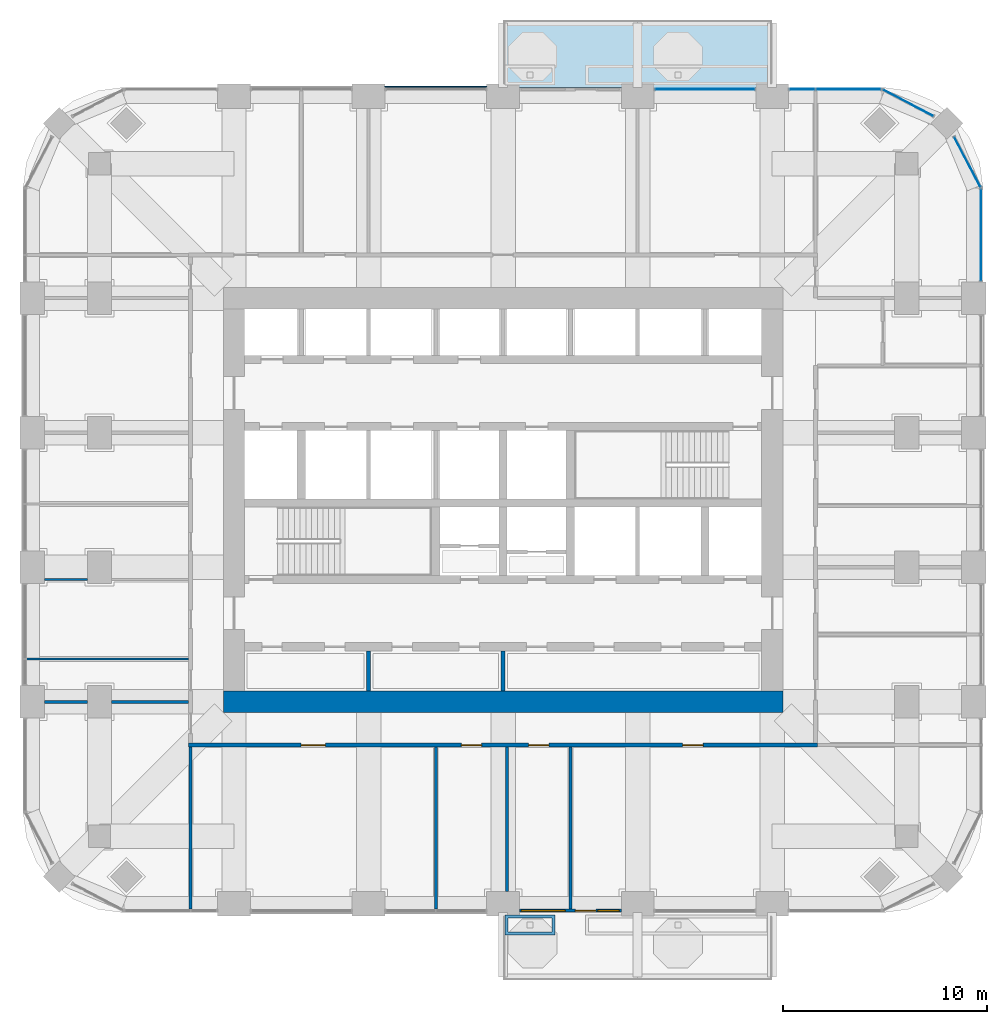
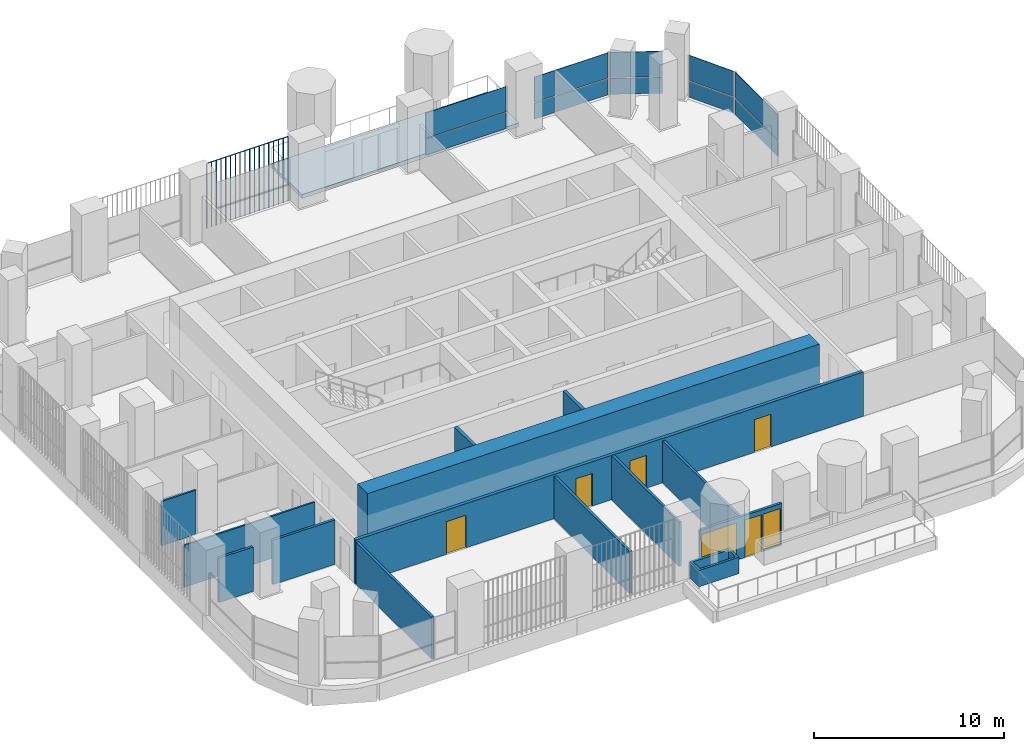
# One storey, part 12 of 19: 14 walls, 13 plates, 5 doors, 2 windows, 1 slab, 7 openings, 5 elements without a shape of their own.
"""IFC4 building model written with IfcOpenShell, lengths in metres."""

from ifc_helpers import new_model, si_unit, direction, frame, frame_2d, origin, origin_2d, place, context, subcontext, project, spatial, polyline, rectangle, outline, extrude, material, layer, layer_set, type_object, element, fill, aggregate, save


model = new_model("IFC4")

# Units and contexts
model_context = context("Model", 3, precision=1e-05, world=origin(), true_north=direction((0.0, 1.0)))
body_context = subcontext(model_context, "Body", "Model", "MODEL_VIEW")
ifc_project = project(units=[si_unit("LENGTHUNIT", "METRE"), si_unit("AREAUNIT", "SQUARE_METRE"), si_unit("VOLUMEUNIT", "CUBIC_METRE"), si_unit("PLANEANGLEUNIT", "RADIAN"), si_unit("MASSUNIT", "GRAM", prefix="KILO")], contexts=[model_context])

# Site, building, storey
site_placement = place(None, origin())
site = spatial("IfcSite", under=ifc_project, at=site_placement, CompositionType="ELEMENT")
building_placement = place(site_placement, origin())
building = spatial("IfcBuilding", under=site, at=building_placement, Name="Cobogo Forest Laboratory Tower", CompositionType="ELEMENT")
storey_placement = place(building_placement, frame((0.0, 0.0, 197.699951171875)))
storey = spatial("IfcBuildingStorey", under=building, at=storey_placement, Name="L45", CompositionType="ELEMENT", Elevation=197.699951171875)

# Slab
ifc_material_1 = material(Name="Concrete HA-40 (C40/50)", Category="concrete")
ifc_layer_1 = layer(ifc_material_1, 0.25)
ifc_layer_set_1 = layer_set([ifc_layer_1], Name="Balcony slab 250")
slab_type = type_object("IfcSlabType", Name="Balcony slab 250", PredefinedType="FLOOR", material=ifc_layer_set_1)
slab_placement = place(storey_placement, frame((0.0, 0.0, -0.25)))
element("IfcSlab", 1, at=slab_placement, inside=storey, type_object=slab_type, Name="Balcony BAL-N1 L45", PredefinedType="FLOOR", context=body_context, shape_type="SweptSolid", body=[
    extrude(outline(polyline([(26.39990234375, 43.35009765625), (39.60009765625, 43.35009765625), (39.60009765625, 46.64990234375), (26.39990234375, 46.64990234375), (26.39990234375, 43.35009765625)])), origin(), (0.0, 0.0, 1.0), 0.25),
])

# Curtain wall, plates
ifc_material_2 = material(Name="Aluminium curtain wall", Category="aluminium")
curtain_wall_type = type_object("IfcCurtainWallType", Name="CW-2 unitised curtain wall, solar control glazing, laboratory floors zones C and D", PredefinedType="USERDEFINED", material=ifc_material_2)
curtain_wall_1_placement = place(storey_placement, origin())
curtain_wall_1 = element("IfcCurtainWall", 2, at=curtain_wall_1_placement, inside=storey, type_object=curtain_wall_type, Name="Curtain wall 13 L45", ObjectType="UNITISED CURTAIN WALL", PredefinedType="USERDEFINED")
ifc_material_3 = material(Name="Solar control insulated glass", Category="glass")
ifc_layer_2 = layer(ifc_material_3, 0.031982421875)
ifc_layer_set_2 = layer_set([ifc_layer_2], Name="GP-2 solar control glass unit 32")
plate_type_1 = type_object("IfcPlateType", Name="GP-2 solar control glass unit 32", PredefinedType="CURTAIN_PANEL", material=ifc_layer_set_2)
plate_1_placement = place(storey_placement, frame((49.85009765625, 36.10009765625, 0.0), z_axis=(0.0, 0.0, 1.0), x_axis=(0.0, 1.0, 0.0)))
plate_1 = element("IfcPlate", 3, at=plate_1_placement, type_object=plate_type_1, Name="CW-2 panel 1.1", PredefinedType="CURTAIN_PANEL", context=body_context, shape_type="SweptSolid", body=[
    extrude(rectangle(XDim=4.47998046875, YDim=0.031982421875, at=origin_2d()), origin(), (0.0, 0.0, 1.0), 1.02001953125),
])
plate_2_placement = place(storey_placement, frame((49.85009765625, 36.10009765625, 1.080078125), z_axis=(0.0, 0.0, 1.0), x_axis=(0.0, 1.0, 0.0)))
plate_2 = element("IfcPlate", 4, at=plate_2_placement, type_object=plate_type_1, Name="CW-2 panel 1.2", PredefinedType="CURTAIN_PANEL", context=body_context, shape_type="SweptSolid", body=[
    extrude(rectangle(XDim=4.47998046875, YDim=0.031982421875, at=origin_2d()), origin(), (0.0, 0.0, 1.0), 1.6201171875),
])
aggregate(curtain_wall_1, [plate_1, plate_2])

curtain_wall_2_placement = place(storey_placement, origin())
curtain_wall_2 = element("IfcCurtainWall", 5, at=curtain_wall_2_placement, inside=storey, type_object=curtain_wall_type, Name="Curtain wall 14 L45", ObjectType="UNITISED CURTAIN WALL", PredefinedType="USERDEFINED")
plate_3_placement = place(storey_placement, frame((49.181396484375, 39.675537109375, 0.0), z_axis=(0.0, 0.0, 1.0), x_axis=(-0.464283804832, 0.885686484356, 0.0)))
plate_3 = element("IfcPlate", 6, at=plate_3_placement, type_object=plate_type_1, Name="CW-2 panel 1.1", PredefinedType="CURTAIN_PANEL", context=body_context, shape_type="SweptSolid", body=[
    extrude(rectangle(XDim=2.76025390625, YDim=0.031982421875, at=origin_2d()), origin(), (0.0, 0.0, 1.0), 1.02001953125),
])
plate_4_placement = place(storey_placement, frame((49.181396484375, 39.675537109375, 1.080078125), z_axis=(0.0, 0.0, 1.0), x_axis=(-0.464283804832, 0.885686484356, 0.0)))
plate_4 = element("IfcPlate", 7, at=plate_4_placement, type_object=plate_type_1, Name="CW-2 panel 1.2", PredefinedType="CURTAIN_PANEL", context=body_context, shape_type="SweptSolid", body=[
    extrude(rectangle(XDim=2.76025390625, YDim=0.031982421875, at=origin_2d()), origin(), (0.0, 0.0, 1.0), 1.6201171875),
])
aggregate(curtain_wall_2, [plate_3, plate_4])

curtain_wall_3_placement = place(storey_placement, origin())
curtain_wall_3 = element("IfcCurtainWall", 8, at=curtain_wall_3_placement, inside=storey, type_object=curtain_wall_type, Name="Curtain wall 15 L45", ObjectType="UNITISED CURTAIN WALL", PredefinedType="USERDEFINED")
plate_5_placement = place(storey_placement, frame((46.275634765625, 42.581298828125, 0.0), z_axis=(0.0, 0.0, 1.0), x_axis=(-0.885686484356, 0.464283804832, 0.0)))
plate_5 = element("IfcPlate", 9, at=plate_5_placement, type_object=plate_type_1, Name="CW-2 panel 1.1", PredefinedType="CURTAIN_PANEL", context=body_context, shape_type="SweptSolid", body=[
    extrude(rectangle(XDim=2.76025390625, YDim=0.031982421875, at=origin_2d()), origin(), (0.0, 0.0, 1.0), 1.02001953125),
])
plate_6_placement = place(storey_placement, frame((46.275634765625, 42.581298828125, 1.080078125), z_axis=(0.0, 0.0, 1.0), x_axis=(-0.885686484356, 0.464283804832, 0.0)))
plate_6 = element("IfcPlate", 10, at=plate_6_placement, type_object=plate_type_1, Name="CW-2 panel 1.2", PredefinedType="CURTAIN_PANEL", context=body_context, shape_type="SweptSolid", body=[
    extrude(rectangle(XDim=2.76025390625, YDim=0.031982421875, at=origin_2d()), origin(), (0.0, 0.0, 1.0), 1.6201171875),
])
aggregate(curtain_wall_3, [plate_5, plate_6])

curtain_wall_4_placement = place(storey_placement, origin())
curtain_wall_4 = element("IfcCurtainWall", 11, at=curtain_wall_4_placement, inside=storey, type_object=curtain_wall_type, Name="Curtain wall 16 L45", ObjectType="UNITISED CURTAIN WALL", PredefinedType="USERDEFINED")
plate_7_placement = place(storey_placement, frame((43.347412109375, 43.25, 0.0), z_axis=(0.0, 0.0, 1.0), x_axis=(-1.0, 0.0, 0.0)))
plate_7 = element("IfcPlate", 12, at=plate_7_placement, type_object=plate_type_1, Name="CW-2 panel 1.1", PredefinedType="CURTAIN_PANEL", context=body_context, shape_type="SweptSolid", body=[
    extrude(rectangle(XDim=3.18505859375, YDim=0.031982421875, at=origin_2d()), origin(), (0.0, 0.0, 1.0), 1.02001953125),
])
plate_8_placement = place(storey_placement, frame((43.347412109375, 43.25, 1.080078125), z_axis=(0.0, 0.0, 1.0), x_axis=(-1.0, 0.0, 0.0)))
plate_8 = element("IfcPlate", 13, at=plate_8_placement, type_object=plate_type_1, Name="CW-2 panel 1.2", PredefinedType="CURTAIN_PANEL", context=body_context, shape_type="SweptSolid", body=[
    extrude(rectangle(XDim=3.18505859375, YDim=0.031982421875, at=origin_2d()), origin(), (0.0, 0.0, 1.0), 1.6201171875),
])
plate_9_placement = place(storey_placement, frame((41.077392578125, 43.25, 0.0), z_axis=(0.0, 0.0, 1.0), x_axis=(-1.0, 0.0, 0.0)))
plate_9 = element("IfcPlate", 14, at=plate_9_placement, type_object=plate_type_1, Name="CW-2 panel 2.1", PredefinedType="CURTAIN_PANEL", context=body_context, shape_type="SweptSolid", body=[
    extrude(rectangle(XDim=1.235107421875, YDim=0.031982421875, at=origin_2d()), origin(), (0.0, 0.0, 1.0), 1.02001953125),
])
plate_10_placement = place(storey_placement, frame((41.077392578125, 43.25, 1.080078125), z_axis=(0.0, 0.0, 1.0), x_axis=(-1.0, 0.0, 0.0)))
plate_10 = element("IfcPlate", 15, at=plate_10_placement, type_object=plate_type_1, Name="CW-2 panel 2.2", PredefinedType="CURTAIN_PANEL", context=body_context, shape_type="SweptSolid", body=[
    extrude(rectangle(XDim=1.235107421875, YDim=0.031982421875, at=origin_2d()), origin(), (0.0, 0.0, 1.0), 1.6201171875),
])
aggregate(curtain_wall_4, [plate_7, plate_8, plate_9, plate_10])

curtain_wall_5_placement = place(storey_placement, origin())
curtain_wall_5 = element("IfcCurtainWall", 16, at=curtain_wall_5_placement, inside=storey, type_object=curtain_wall_type, Name="Curtain wall 17 L45", ObjectType="UNITISED CURTAIN WALL", PredefinedType="USERDEFINED")
plate_11_placement = place(storey_placement, frame((36.300048828125, 43.25, 0.0), z_axis=(0.0, 0.0, 1.0), x_axis=(-1.0, 0.0, 0.0)))
plate_11 = element("IfcPlate", 17, at=plate_11_placement, type_object=plate_type_1, Name="CW-2 panel 1.1", PredefinedType="CURTAIN_PANEL", context=body_context, shape_type="SweptSolid", body=[
    extrude(rectangle(XDim=4.8798828125, YDim=0.031982421875, at=origin_2d()), origin(), (0.0, 0.0, 1.0), 1.02001953125),
])
plate_12_placement = place(storey_placement, frame((36.300048828125, 43.25, 1.080078125), z_axis=(0.0, 0.0, 1.0), x_axis=(-1.0, 0.0, 0.0)))
plate_12 = element("IfcPlate", 18, at=plate_12_placement, type_object=plate_type_1, Name="CW-2 panel 1.2", PredefinedType="CURTAIN_PANEL", context=body_context, shape_type="SweptSolid", body=[
    extrude(rectangle(XDim=4.8798828125, YDim=0.031982421875, at=origin_2d()), origin(), (0.0, 0.0, 1.0), 1.6201171875),
])
aggregate(curtain_wall_5, [plate_11, plate_12])

# Plate
ifc_material_4 = material(Name="Terracotta", Category="masonry")
plate_type_2 = type_object("IfcPlateType", Name="TB1 terracotta baguette screen", PredefinedType="USERDEFINED", material=ifc_material_4)
plate_13_placement = place(storey_placement, frame((20.63134765625, 43.3779296875, -0.14990234375)))
element("IfcPlate", 19, at=plate_13_placement, inside=storey, type_object=plate_type_2, Name="Baguette screen N2 L45", ObjectType="BAGUETTE SCREEN", PredefinedType="USERDEFINED", context=body_context, shape_type="SweptSolid", body=[
    extrude(outline(polyline([(0.02880859375, 0.011962890625), (0.011962890625, 0.02880859375), (-0.011962890625, 0.02880859375), (-0.02880859375, 0.011962890625), (-0.02880859375, -0.011962890625), (-0.011962890625, -0.02880859375), (0.011962890625, -0.02880859375), (0.02880859375, -0.011962890625), (0.02880859375, 0.011962890625)])), frame((0.0, 0.0, 4.168701171875), z_axis=(1.0, 0.0, 0.0), x_axis=(0.0, 1.0, 0.0)), (0.0, 0.0, 1.0), 4.9375),
    extrude(outline(polyline([(0.02880859375, 0.011962890625), (0.011962890625, 0.02880859375), (-0.011962890625, 0.02880859375), (-0.02880859375, 0.011962890625), (-0.02880859375, -0.011962890625), (-0.011962890625, -0.02880859375), (0.011962890625, -0.02880859375), (0.02880859375, -0.011962890625), (0.02880859375, 0.011962890625)])), origin(), (0.0, 0.0, 1.0), 4.137451171875),
    extrude(outline(polyline([(0.02880859375, 0.011962890625), (0.011962890625, 0.02880859375), (-0.011962890625, 0.02880859375), (-0.02880859375, 0.011962890625), (-0.02880859375, -0.011962890625), (-0.011962890625, -0.02880859375), (0.011962890625, -0.02880859375), (0.02880859375, -0.011962890625), (0.02880859375, 0.011962890625)])), frame((0.29052734375, 0.0, 0.0)), (0.0, 0.0, 1.0), 4.137451171875),
    extrude(outline(polyline([(0.02880859375, 0.011962890625), (0.011962890625, 0.02880859375), (-0.011962890625, 0.02880859375), (-0.02880859375, 0.011962890625), (-0.02880859375, -0.011962890625), (-0.011962890625, -0.02880859375), (0.011962890625, -0.02880859375), (0.02880859375, -0.011962890625), (0.02880859375, 0.011962890625)])), frame((0.580810546875, 0.0, 0.0)), (0.0, 0.0, 1.0), 4.137451171875),
    extrude(outline(polyline([(0.02880859375, 0.011962890625), (0.011962890625, 0.02880859375), (-0.011962890625, 0.02880859375), (-0.02880859375, 0.011962890625), (-0.02880859375, -0.011962890625), (-0.011962890625, -0.02880859375), (0.011962890625, -0.02880859375), (0.02880859375, -0.011962890625), (0.02880859375, 0.011962890625)])), frame((0.871337890625, 0.0, 0.0)), (0.0, 0.0, 1.0), 4.137451171875),
    extrude(outline(polyline([(0.02880859375, 0.011962890625), (0.011962890625, 0.02880859375), (-0.011962890625, 0.02880859375), (-0.02880859375, 0.011962890625), (-0.02880859375, -0.011962890625), (-0.011962890625, -0.02880859375), (0.011962890625, -0.02880859375), (0.02880859375, -0.011962890625), (0.02880859375, 0.011962890625)])), frame((1.161865234375, 0.0, 0.0)), (0.0, 0.0, 1.0), 4.137451171875),
    extrude(outline(polyline([(0.02880859375, 0.011962890625), (0.011962890625, 0.02880859375), (-0.011962890625, 0.02880859375), (-0.02880859375, 0.011962890625), (-0.02880859375, -0.011962890625), (-0.011962890625, -0.02880859375), (0.011962890625, -0.02880859375), (0.02880859375, -0.011962890625), (0.02880859375, 0.011962890625)])), frame((1.4521484375, 0.0, 0.0)), (0.0, 0.0, 1.0), 4.137451171875),
    extrude(outline(polyline([(0.02880859375, 0.011962890625), (0.011962890625, 0.02880859375), (-0.011962890625, 0.02880859375), (-0.02880859375, 0.011962890625), (-0.02880859375, -0.011962890625), (-0.011962890625, -0.02880859375), (0.011962890625, -0.02880859375), (0.02880859375, -0.011962890625), (0.02880859375, 0.011962890625)])), frame((1.74267578125, 0.0, 0.0)), (0.0, 0.0, 1.0), 4.137451171875),
    extrude(outline(polyline([(0.02880859375, 0.011962890625), (0.011962890625, 0.02880859375), (-0.011962890625, 0.02880859375), (-0.02880859375, 0.011962890625), (-0.02880859375, -0.011962890625), (-0.011962890625, -0.02880859375), (0.011962890625, -0.02880859375), (0.02880859375, -0.011962890625), (0.02880859375, 0.011962890625)])), frame((2.033203125, 0.0, 0.0)), (0.0, 0.0, 1.0), 4.137451171875),
    extrude(outline(polyline([(0.02880859375, 0.011962890625), (0.011962890625, 0.02880859375), (-0.011962890625, 0.02880859375), (-0.02880859375, 0.011962890625), (-0.02880859375, -0.011962890625), (-0.011962890625, -0.02880859375), (0.011962890625, -0.02880859375), (0.02880859375, -0.011962890625), (0.02880859375, 0.011962890625)])), frame((2.323486328125, 0.0, 0.0)), (0.0, 0.0, 1.0), 4.137451171875),
    extrude(outline(polyline([(0.02880859375, 0.011962890625), (0.011962890625, 0.02880859375), (-0.011962890625, 0.02880859375), (-0.02880859375, 0.011962890625), (-0.02880859375, -0.011962890625), (-0.011962890625, -0.02880859375), (0.011962890625, -0.02880859375), (0.02880859375, -0.011962890625), (0.02880859375, 0.011962890625)])), frame((2.614013671875, 0.0, 0.0)), (0.0, 0.0, 1.0), 4.137451171875),
    extrude(outline(polyline([(0.02880859375, 0.011962890625), (0.011962890625, 0.02880859375), (-0.011962890625, 0.02880859375), (-0.02880859375, 0.011962890625), (-0.02880859375, -0.011962890625), (-0.011962890625, -0.02880859375), (0.011962890625, -0.02880859375), (0.02880859375, -0.011962890625), (0.02880859375, 0.011962890625)])), frame((2.904296875, 0.0, 0.0)), (0.0, 0.0, 1.0), 4.137451171875),
    extrude(outline(polyline([(0.02880859375, 0.011962890625), (0.011962890625, 0.02880859375), (-0.011962890625, 0.02880859375), (-0.02880859375, 0.011962890625), (-0.02880859375, -0.011962890625), (-0.011962890625, -0.02880859375), (0.011962890625, -0.02880859375), (0.02880859375, -0.011962890625), (0.02880859375, 0.011962890625)])), frame((3.19482421875, 0.0, 0.0)), (0.0, 0.0, 1.0), 4.137451171875),
    extrude(outline(polyline([(0.02880859375, 0.011962890625), (0.011962890625, 0.02880859375), (-0.011962890625, 0.02880859375), (-0.02880859375, 0.011962890625), (-0.02880859375, -0.011962890625), (-0.011962890625, -0.02880859375), (0.011962890625, -0.02880859375), (0.02880859375, -0.011962890625), (0.02880859375, 0.011962890625)])), frame((3.4853515625, 0.0, 0.0)), (0.0, 0.0, 1.0), 4.137451171875),
    extrude(outline(polyline([(0.02880859375, 0.011962890625), (0.011962890625, 0.02880859375), (-0.011962890625, 0.02880859375), (-0.02880859375, 0.011962890625), (-0.02880859375, -0.011962890625), (-0.011962890625, -0.02880859375), (0.011962890625, -0.02880859375), (0.02880859375, -0.011962890625), (0.02880859375, 0.011962890625)])), frame((3.775634765625, 0.0, 0.0)), (0.0, 0.0, 1.0), 4.137451171875),
    extrude(outline(polyline([(0.02880859375, 0.011962890625), (0.011962890625, 0.02880859375), (-0.011962890625, 0.02880859375), (-0.02880859375, 0.011962890625), (-0.02880859375, -0.011962890625), (-0.011962890625, -0.02880859375), (0.011962890625, -0.02880859375), (0.02880859375, -0.011962890625), (0.02880859375, 0.011962890625)])), frame((4.066162109375, 0.0, 0.0)), (0.0, 0.0, 1.0), 4.137451171875),
    extrude(outline(polyline([(0.02880859375, 0.011962890625), (0.011962890625, 0.02880859375), (-0.011962890625, 0.02880859375), (-0.02880859375, 0.011962890625), (-0.02880859375, -0.011962890625), (-0.011962890625, -0.02880859375), (0.011962890625, -0.02880859375), (0.02880859375, -0.011962890625), (0.02880859375, 0.011962890625)])), frame((4.356689453125, 0.0, 0.0)), (0.0, 0.0, 1.0), 4.137451171875),
    extrude(outline(polyline([(0.02880859375, 0.011962890625), (0.011962890625, 0.02880859375), (-0.011962890625, 0.02880859375), (-0.02880859375, 0.011962890625), (-0.02880859375, -0.011962890625), (-0.011962890625, -0.02880859375), (0.011962890625, -0.02880859375), (0.02880859375, -0.011962890625), (0.02880859375, 0.011962890625)])), frame((4.64697265625, 0.0, 0.0)), (0.0, 0.0, 1.0), 4.137451171875),
    extrude(outline(polyline([(0.02880859375, 0.011962890625), (0.011962890625, 0.02880859375), (-0.011962890625, 0.02880859375), (-0.02880859375, 0.011962890625), (-0.02880859375, -0.011962890625), (-0.011962890625, -0.02880859375), (0.011962890625, -0.02880859375), (0.02880859375, -0.011962890625), (0.02880859375, 0.011962890625)])), frame((4.9375, 0.0, 0.0)), (0.0, 0.0, 1.0), 4.137451171875),
])

# Wall
ifc_material_5 = material(Name="Concrete HA-50 (C50/60)", Category="concrete")
ifc_layer_3 = layer(ifc_material_5, 1.050048828125)
ifc_layer_set_3 = layer_set([ifc_layer_3], Name="CW1050 core outer wall 1050")
wall_type_1 = type_object("IfcWallType", Name="CW1050 core outer wall 1050", PredefinedType="SHEAR", material=ifc_layer_set_3)
wall_1_placement = place(storey_placement, frame((12.675048828125, 13.199951171875, 0.0), z_axis=(0.0, 0.0, 1.0), x_axis=(1.0, 0.0, 0.0)))
element("IfcWall", 20, at=wall_1_placement, inside=storey, type_object=wall_type_1, Name="Core wall CO-S L45", PredefinedType="SHEAR", context=body_context, shape_type="SweptSolid", body=[
    extrude(rectangle(XDim=27.449951171875, YDim=1.050048828125, at=frame_2d((13.72509765625, 0.0))), origin(), (0.0, 0.0, 1.0), 4.199951171875),
])

# Wall, openings, door, windows
ifc_material_6 = material(Name="Aluminium framed glazed screen", Category="aluminium")
ifc_layer_4 = layer(ifc_material_6, 0.14990234375)
ifc_layer_set_4 = layer_set([ifc_layer_4], Name="GS1 glazed door screen 150")
wall_type_2 = type_object("IfcWallType", Name="GS1 glazed door screen 150", PredefinedType="SOLIDWALL", material=ifc_layer_set_4)
wall_2_placement = place(storey_placement, frame((27.199951171875, 2.949951171875, 0.0), z_axis=(0.0, 0.0, 1.0), x_axis=(1.0, 0.0, 0.0)))
wall_2 = element("IfcWall", 21, at=wall_2_placement, inside=storey, type_object=wall_type_2, Name="Door screen BAL-S1 L45", PredefinedType="SOLIDWALL", context=body_context, shape_type="SweptSolid", body=[
    extrude(rectangle(XDim=5.0, YDim=0.14990234375, at=frame_2d((2.5, 0.0))), origin(), (0.0, 0.0, 1.0), 2.699951171875),
])
opening_1_placement = place(wall_2_placement, frame((2.75, 0.0, 0.0)))
opening_1 = element("IfcOpeningElement", 22, at=opening_1_placement, cuts=wall_2, Name="Opening L45-D01", PredefinedType="OPENING", context=body_context, shape_type="SweptSolid", body=[
    extrude(rectangle(XDim=1.0, YDim=2.39990234375, at=frame_2d((0.5, 1.199951171875))), frame((0.0, 0.0849609375, 0.0), z_axis=(0.0, -1.0, 0.0), x_axis=(1.0, 0.0, 0.0)), (0.0, 0.0, 1.0), 0.169921875),
])
opening_2_placement = place(wall_2_placement, frame((0.10009765625, 0.0, 0.10009765625)))
opening_2 = element("IfcOpeningElement", 23, at=opening_2_placement, cuts=wall_2, Name="Opening L45-W01", PredefinedType="OPENING", context=body_context, shape_type="SweptSolid", body=[
    extrude(rectangle(XDim=2.14990234375, YDim=2.300048828125, at=frame_2d((1.074951171875, 1.14990234375))), frame((0.0, 0.0849609375, 0.0), z_axis=(0.0, -1.0, 0.0), x_axis=(1.0, 0.0, 0.0)), (0.0, 0.0, 1.0), 0.169921875),
])
opening_3_placement = place(wall_2_placement, frame((3.85009765625, 0.0, 0.10009765625)))
opening_3 = element("IfcOpeningElement", 24, at=opening_3_placement, cuts=wall_2, Name="Opening L45-W02", PredefinedType="OPENING", context=body_context, shape_type="SweptSolid", body=[
    extrude(rectangle(XDim=1.050048828125, YDim=2.300048828125, at=frame_2d((0.52490234375, 1.14990234375))), frame((0.0, 0.0849609375, 0.0), z_axis=(0.0, -1.0, 0.0), x_axis=(1.0, 0.0, 0.0)), (0.0, 0.0, 1.0), 0.169921875),
])
ifc_material_7 = material(Name="Aluminium glazed door", Category="aluminium")
door_type_1 = type_object("IfcDoorType", Name="DB1 balcony door 1000 glazed", OperationType="SINGLE_SWING_LEFT", PredefinedType="DOOR", material=ifc_material_7)
door_1_placement = place(opening_1_placement, origin())
door_1 = element("IfcDoor", 25, at=door_1_placement, inside=storey, type_object=door_type_1, Name="Door L45-BAL-S1", OperationType="SINGLE_SWING_RIGHT", OverallHeight=2.39990234375, OverallWidth=1.0, PredefinedType="DOOR", context=body_context, shape_type="SweptSolid", body=[
    extrude(rectangle(XDim=1.0, YDim=2.39990234375, at=frame_2d((0.5, 1.199951171875))), frame((0.0, 0.02490234375, 0.0), z_axis=(0.0, -1.0, 0.0), x_axis=(1.0, 0.0, 0.0)), (0.0, 0.0, 1.0), 0.050048828125),
])
fill(opening_1, door_1)
ifc_material_8 = material(Name="Aluminium framed glazing", Category="aluminium")
window_type_1 = type_object("IfcWindowType", Name="WG13 fixed glazed light 2150x2300", PartitioningType="SINGLE_PANEL", PredefinedType="WINDOW", material=ifc_material_8)
window_1_placement = place(opening_2_placement, origin())
window_1 = element("IfcWindow", 26, at=window_1_placement, inside=storey, type_object=window_type_1, Name="Window L45-BAL-S1-1", OverallHeight=2.300048828125, OverallWidth=2.14990234375, PartitioningType="SINGLE_PANEL", PredefinedType="WINDOW", context=body_context, shape_type="SweptSolid", body=[
    extrude(rectangle(XDim=2.14990234375, YDim=2.300048828125, at=frame_2d((1.074951171875, 1.14990234375))), frame((0.0, 0.030029296875, 0.0), z_axis=(0.0, -1.0, 0.0), x_axis=(1.0, 0.0, 0.0)), (0.0, 0.0, 1.0), 0.06005859375),
])
fill(opening_2, window_1)
window_type_2 = type_object("IfcWindowType", Name="WG14 fixed glazed light 1050x2300", PartitioningType="SINGLE_PANEL", PredefinedType="WINDOW", material=ifc_material_8)
window_2_placement = place(opening_3_placement, origin())
window_2 = element("IfcWindow", 27, at=window_2_placement, inside=storey, type_object=window_type_2, Name="Window L45-BAL-S1-2", OverallHeight=2.300048828125, OverallWidth=1.050048828125, PartitioningType="SINGLE_PANEL", PredefinedType="WINDOW", context=body_context, shape_type="SweptSolid", body=[
    extrude(rectangle(XDim=1.050048828125, YDim=2.300048828125, at=frame_2d((0.52490234375, 1.14990234375))), frame((0.0, 0.030029296875, 0.0), z_axis=(0.0, -1.0, 0.0), x_axis=(1.0, 0.0, 0.0)), (0.0, 0.0, 1.0), 0.06005859375),
])
fill(opening_3, window_2)

# Walls
ifc_material_9 = material(Name="Gypsum board on steel studs", Category="steel")
ifc_layer_5 = layer(ifc_material_9, 0.14990234375)
ifc_layer_set_5 = layer_set([ifc_layer_5], Name="PT1 laboratory partition 150")
wall_type_3 = type_object("IfcWallType", Name="PT1 laboratory partition 150", PredefinedType="PARTITIONING", material=ifc_layer_set_5)
wall_3_placement = place(storey_placement, frame((11.074951171875, 3.030029296875, 0.0), z_axis=(0.0, 0.0, 1.0), x_axis=(0.0, 1.0, 0.0)))
element("IfcWall", 28, at=wall_3_placement, inside=storey, type_object=wall_type_3, Name="Partition PW-SW L45", PredefinedType="PARTITIONING", context=body_context, shape_type="SweptSolid", body=[
    extrude(rectangle(XDim=7.945068359375, YDim=0.14990234375, at=frame_2d((3.97265625, 0.0))), origin(), (0.0, 0.0, 1.0), 2.699951171875),
])
wall_4_placement = place(storey_placement, frame((26.60009765625, 3.89990234375, 0.0), z_axis=(0.0, 0.0, 1.0), x_axis=(0.0, 1.0, 0.0)))
element("IfcWall", 29, at=wall_4_placement, inside=storey, type_object=wall_type_3, Name="Partition SVC-S1-1 L45", PredefinedType="PARTITIONING", context=body_context, shape_type="SweptSolid", body=[
    extrude(rectangle(XDim=7.0751953125, YDim=0.14990234375, at=frame_2d((3.53759765625, 0.0))), origin(), (0.0, 0.0, 1.0), 2.85009765625),
])
for number, where, z_axis, x_axis, name in (
    (30, (29.699951171875, 3.030029296875, 0.0), (0.0, 0.0, 1.0), (0.0, 1.0, 0.0), "Partition SVC-S2-1 L45"),
    (31, (23.10009765625, 3.030029296875, 0.0), (0.0, 0.0, 1.0), (0.0, 1.0, 0.0), "Partition CUT-S23.1-1 L45"),
):
    element("IfcWall", number, at=place(storey_placement, frame(where, z_axis=z_axis, x_axis=x_axis)), inside=storey, type_object=wall_type_3, Name=name, PredefinedType="PARTITIONING", context=body_context, shape_type="SweptSolid", body=[
        extrude(rectangle(XDim=7.945068359375, YDim=0.14990234375, at=frame_2d((3.97265625, 0.0))), origin(), (0.0, 0.0, 1.0), 2.699951171875),
    ])
wall_5_placement = place(storey_placement, frame((3.89990234375, 13.199951171875, 0.0), z_axis=(0.0, 0.0, 1.0), x_axis=(1.0, 0.0, 0.0)))
element("IfcWall", 32, at=wall_5_placement, inside=storey, type_object=wall_type_3, Name="Partition CUT-W13.2-1 L45", PredefinedType="PARTITIONING", context=body_context, shape_type="SweptSolid", body=[
    extrude(rectangle(XDim=2.10009765625, YDim=0.14990234375, at=frame_2d((1.050048828125, 0.0))), origin(), (0.0, 0.0, 1.0), 2.85009765625),
])
wall_6_placement = place(storey_placement, frame((7.199951171875, 13.199951171875, 0.0), z_axis=(0.0, 0.0, 1.0), x_axis=(1.0, 0.0, 0.0)))
element("IfcWall", 33, at=wall_6_placement, inside=storey, type_object=wall_type_3, Name="Partition CUT-W13.2-2 L45", PredefinedType="PARTITIONING", context=body_context, shape_type="SweptSolid", body=[
    extrude(rectangle(XDim=3.775146484375, YDim=0.14990234375, at=frame_2d((1.8876953125, 0.0))), origin(), (0.0, 0.0, 1.0), 2.85009765625),
])

# Wall, openings, doors
ifc_layer_6 = layer(ifc_material_9, 0.199951171875)
ifc_layer_set_6 = layer_set([ifc_layer_6], Name="PT2 fire-rated corridor partition 200")
wall_type_4 = type_object("IfcWallType", Name="PT2 fire-rated corridor partition 200", PredefinedType="PARTITIONING", material=ifc_layer_set_6)
wall_7_placement = place(storey_placement, frame((10.97509765625, 11.074951171875, 0.0), z_axis=(0.0, 0.0, 1.0), x_axis=(1.0, 0.0, 0.0)))
wall_7 = element("IfcWall", 34, at=wall_7_placement, inside=storey, type_object=wall_type_4, Name="Partition CORR-S L45", PredefinedType="PARTITIONING", context=body_context, shape_type="SweptSolid", body=[
    extrude(rectangle(XDim=30.849853515625, YDim=0.199951171875, at=frame_2d((15.4248046875, 0.0))), origin(), (0.0, 0.0, 1.0), 2.85009765625),
])
opening_4_placement = place(wall_7_placement, frame((5.512451171875, 0.0, 0.0)))
opening_4 = element("IfcOpeningElement", 35, at=opening_4_placement, cuts=wall_7, Name="Opening L45-D02", PredefinedType="OPENING", context=body_context, shape_type="SweptSolid", body=[
    extrude(rectangle(XDim=1.199951171875, YDim=2.10009765625, at=frame_2d((0.60009765625, 1.050048828125))), frame((0.0, 0.10986328125, 0.0), z_axis=(0.0, -1.0, 0.0), x_axis=(1.0, 0.0, 0.0)), (0.0, 0.0, 1.0), 0.219970703125),
])
opening_5_placement = place(wall_7_placement, frame((13.375, 0.0, 0.0)))
opening_5 = element("IfcOpeningElement", 36, at=opening_5_placement, cuts=wall_7, Name="Opening L45-D03", PredefinedType="OPENING", context=body_context, shape_type="SweptSolid", body=[
    extrude(rectangle(XDim=1.0, YDim=2.10009765625, at=frame_2d((0.5, 1.050048828125))), frame((0.0, 0.10986328125, 0.0), z_axis=(0.0, -1.0, 0.0), x_axis=(1.0, 0.0, 0.0)), (0.0, 0.0, 1.0), 0.219970703125),
])
opening_6_placement = place(wall_7_placement, frame((16.675048828125, 0.0, 0.0)))
opening_6 = element("IfcOpeningElement", 37, at=opening_6_placement, cuts=wall_7, Name="Opening L45-D04", PredefinedType="OPENING", context=body_context, shape_type="SweptSolid", body=[
    extrude(rectangle(XDim=1.0, YDim=2.10009765625, at=frame_2d((0.5, 1.050048828125))), frame((0.0, 0.10986328125, 0.0), z_axis=(0.0, -1.0, 0.0), x_axis=(1.0, 0.0, 0.0)), (0.0, 0.0, 1.0), 0.219970703125),
])
opening_7_placement = place(wall_7_placement, frame((24.237548828125, 0.0, 0.0)))
opening_7 = element("IfcOpeningElement", 38, at=opening_7_placement, cuts=wall_7, Name="Opening L45-D05", PredefinedType="OPENING", context=body_context, shape_type="SweptSolid", body=[
    extrude(rectangle(XDim=1.0, YDim=2.10009765625, at=frame_2d((0.5, 1.050048828125))), frame((0.0, 0.10986328125, 0.0), z_axis=(0.0, -1.0, 0.0), x_axis=(1.0, 0.0, 0.0)), (0.0, 0.0, 1.0), 0.219970703125),
])
ifc_material_10 = material(Name="Timber door", Category="wood")
door_type_2 = type_object("IfcDoorType", Name="D2 laboratory door 1200 unequal pair", OperationType="DOUBLE_DOOR_SINGLE_SWING", PredefinedType="DOOR", material=ifc_material_10)
door_2_placement = place(opening_4_placement, origin())
door_2 = element("IfcDoor", 39, at=door_2_placement, inside=storey, type_object=door_type_2, Name="Door L45-S1", OperationType="DOUBLE_DOOR_SINGLE_SWING", OverallHeight=2.10009765625, OverallWidth=1.199951171875, PredefinedType="DOOR", context=body_context, shape_type="SweptSolid", body=[
    extrude(rectangle(XDim=1.199951171875, YDim=2.10009765625, at=frame_2d((0.60009765625, 1.050048828125))), frame((0.0, 0.02490234375, 0.0), z_axis=(0.0, -1.0, 0.0), x_axis=(1.0, 0.0, 0.0)), (0.0, 0.0, 1.0), 0.050048828125),
])
fill(opening_4, door_2)
ifc_material_11 = material(Name="Timber fire door", Category="wood")
door_type_3 = type_object("IfcDoorType", Name="FD2 fire door 1000 EI2 30", OperationType="SINGLE_SWING_LEFT", PredefinedType="DOOR", material=ifc_material_11)
door_3_placement = place(opening_5_placement, origin())
door_3 = element("IfcDoor", 40, at=door_3_placement, inside=storey, type_object=door_type_3, Name="Door L45-MTG", OperationType="SINGLE_SWING_LEFT", OverallHeight=2.10009765625, OverallWidth=1.0, PredefinedType="DOOR", context=body_context, shape_type="SweptSolid", body=[
    extrude(rectangle(XDim=1.0, YDim=2.10009765625, at=frame_2d((0.5, 1.050048828125))), frame((0.0, 0.02490234375, 0.0), z_axis=(0.0, -1.0, 0.0), x_axis=(1.0, 0.0, 0.0)), (0.0, 0.0, 1.0), 0.050048828125),
])
fill(opening_5, door_3)
door_4_placement = place(opening_6_placement, origin())
door_4 = element("IfcDoor", 41, at=door_4_placement, inside=storey, type_object=door_type_3, Name="Door L45-PAN", OperationType="SINGLE_SWING_RIGHT", OverallHeight=2.10009765625, OverallWidth=1.0, PredefinedType="DOOR", context=body_context, shape_type="SweptSolid", body=[
    extrude(rectangle(XDim=1.0, YDim=2.10009765625, at=frame_2d((0.5, 1.050048828125))), frame((0.0, 0.02490234375, 0.0), z_axis=(0.0, -1.0, 0.0), x_axis=(1.0, 0.0, 0.0)), (0.0, 0.0, 1.0), 0.050048828125),
])
fill(opening_6, door_4)
door_5_placement = place(opening_7_placement, origin())
door_5 = element("IfcDoor", 42, at=door_5_placement, inside=storey, type_object=door_type_3, Name="Door L45-S2", OperationType="SINGLE_SWING_RIGHT", OverallHeight=2.10009765625, OverallWidth=1.0, PredefinedType="DOOR", context=body_context, shape_type="SweptSolid", body=[
    extrude(rectangle(XDim=1.0, YDim=2.10009765625, at=frame_2d((0.5, 1.050048828125))), frame((0.0, 0.02490234375, 0.0), z_axis=(0.0, -1.0, 0.0), x_axis=(1.0, 0.0, 0.0)), (0.0, 0.0, 1.0), 0.050048828125),
])
fill(opening_7, door_5)

# Walls
ifc_layer_7 = layer(ifc_material_9, 0.10009765625)
ifc_layer_set_7 = layer_set([ifc_layer_7], Name="PT3 toilet partition 100")
wall_type_5 = type_object("IfcWallType", Name="PT3 toilet partition 100", PredefinedType="PARTITIONING", material=ifc_layer_set_7)
wall_8_placement = place(storey_placement, frame((3.030029296875, 15.300048828125, 0.0), z_axis=(0.0, 0.0, 1.0), x_axis=(1.0, 0.0, 0.0)))
element("IfcWall", 43, at=wall_8_placement, inside=storey, type_object=wall_type_5, Name="Partition SVC-W1-1 L45", PredefinedType="PARTITIONING", context=body_context, shape_type="SweptSolid", body=[
    extrude(rectangle(XDim=7.945068359375, YDim=0.10009765625, at=frame_2d((3.97265625, 0.0))), origin(), (0.0, 0.0, 1.0), 2.699951171875),
])
wall_9_placement = place(storey_placement, frame((3.89990234375, 19.199951171875, 0.0), z_axis=(0.0, 0.0, 1.0), x_axis=(1.0, 0.0, 0.0)))
element("IfcWall", 44, at=wall_9_placement, inside=storey, type_object=wall_type_5, Name="Partition SVC-W2-1 L45", PredefinedType="PARTITIONING", context=body_context, shape_type="SweptSolid", body=[
    extrude(rectangle(XDim=2.10009765625, YDim=0.10009765625, at=frame_2d((1.050048828125, 0.0))), origin(), (0.0, 0.0, 1.0), 2.85009765625),
])
ifc_layer_8 = layer(ifc_material_1, 0.14990234375)
ifc_layer_set_8 = layer_set([ifc_layer_8], Name="Planter box 1000x1050")
wall_type_6 = type_object("IfcWallType", Name="Planter box 1000x1050", PredefinedType="USERDEFINED", material=ifc_layer_set_8)
wall_10_placement = place(storey_placement, origin())
element("IfcWall", 45, at=wall_10_placement, inside=storey, type_object=wall_type_6, Name="Planter BAL-S1-1 L45", ObjectType="PLANTER", PredefinedType="USERDEFINED", context=body_context, shape_type="SweptSolid", body=[
    extrude(outline(polyline([(26.5, 1.75), (28.949951171875, 1.75), (28.949951171875, 2.75), (26.5, 2.75), (26.5, 1.75)]), holes=[polyline([(26.64990234375, 1.89990234375), (28.800048828125, 1.89990234375), (28.800048828125, 2.60009765625), (26.64990234375, 2.60009765625), (26.64990234375, 1.89990234375)])]), origin(), (0.0, 0.0, 1.0), 1.050048828125),
])
ifc_material_12 = material(Name="Concrete block", Category="concrete")
ifc_layer_9 = layer(ifc_material_12, 0.199951171875)
ifc_layer_set_9 = layer_set([ifc_layer_9], Name="SW200 lift shaft separator 200")
wall_type_7 = type_object("IfcWallType", Name="SW200 lift shaft separator 200", PredefinedType="PARTITIONING", material=ifc_layer_set_9)
for number, where, z_axis, x_axis, name in (
    (46, (19.800048828125, 13.72509765625, 0.0), (0.0, 0.0, 1.0), (0.0, 1.0, 0.0), "Core wall SEP-S2 L45"),
    (47, (26.39990234375, 13.72509765625, 0.0), (0.0, 0.0, 1.0), (0.0, 1.0, 0.0), "Core wall SEP-S4 L45"),
):
    element("IfcWall", number, at=place(storey_placement, frame(where, z_axis=z_axis, x_axis=x_axis)), inside=storey, type_object=wall_type_7, Name=name, PredefinedType="PARTITIONING", context=body_context, shape_type="SweptSolid", body=[
        extrude(rectangle(XDim=1.974853515625, YDim=0.199951171875, at=frame_2d((0.9873046875, 0.0))), origin(), (0.0, 0.0, 1.0), 4.199951171875),
    ])

save(model, "model.ifc")
